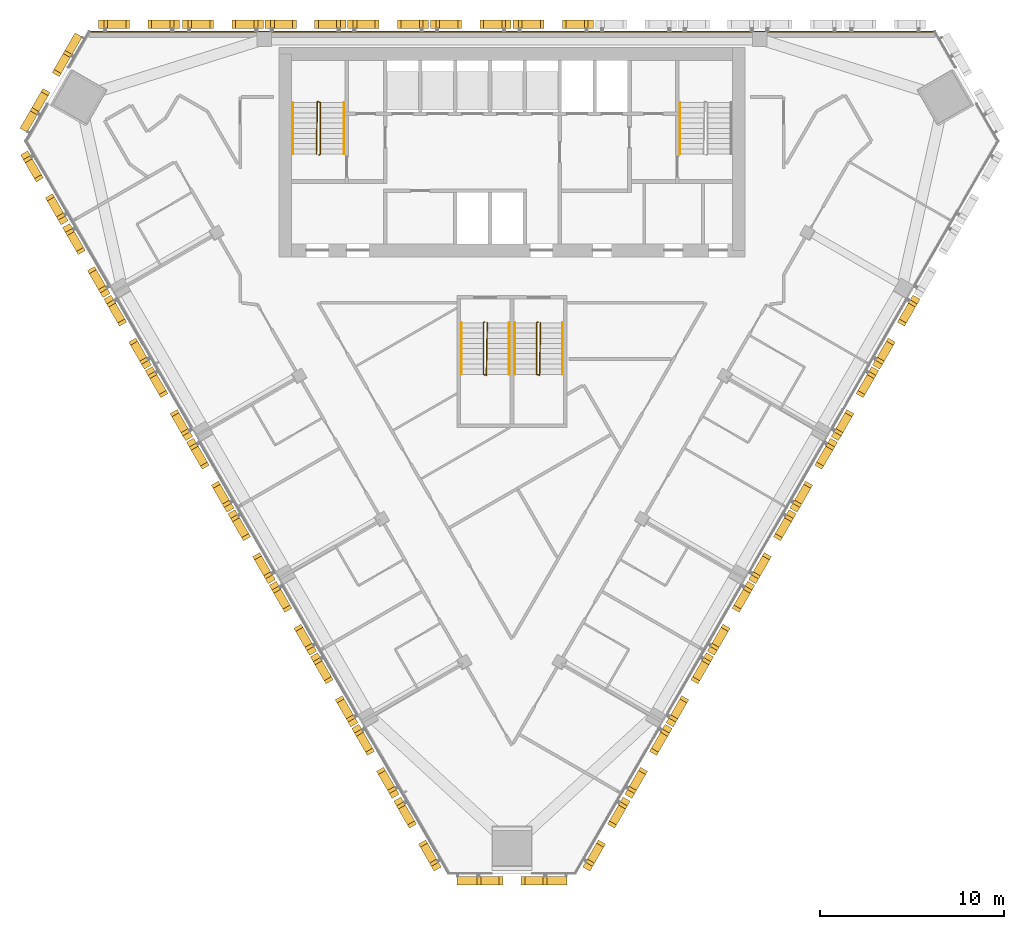
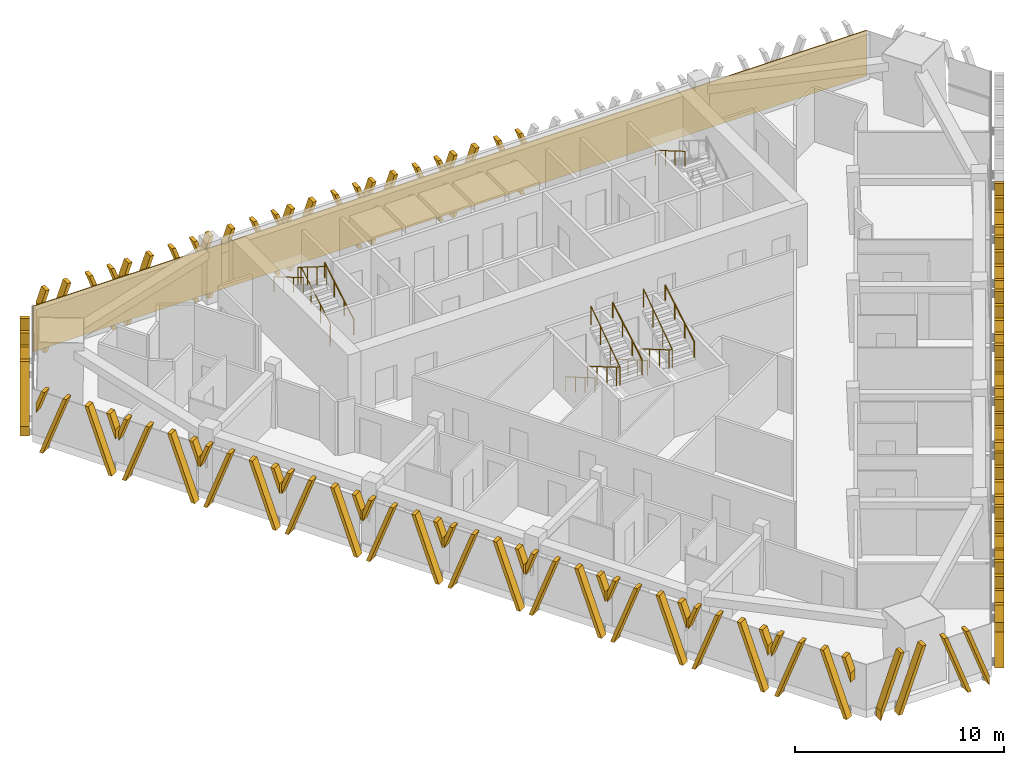
# One storey, part 13 of 15: 26 shading devices, 10 railings, 1 covering.
"""IFC4 building model written with IfcOpenShell, lengths in metres."""

from ifc_helpers import new_model, si_unit, direction, frame, frame_2d, origin, origin_2d, place, context, subcontext, project, spatial, polyline, rectangle, circle, outline, extrude, source, transform, mapped, material, layer, layer_set, type_object, element, save


model = new_model("IFC4")

# Units and contexts
model_context = context("Model", 3, precision=1e-05, world=origin(), true_north=direction((0.0, 1.0)))
body_context = subcontext(model_context, "Body", "Model", "MODEL_VIEW")
ifc_project = project(units=[si_unit("LENGTHUNIT", "METRE"), si_unit("AREAUNIT", "SQUARE_METRE"), si_unit("VOLUMEUNIT", "CUBIC_METRE"), si_unit("PLANEANGLEUNIT", "RADIAN"), si_unit("MASSUNIT", "GRAM", prefix="KILO")], contexts=[model_context])

# Site, building, storey
site_placement = place(None, origin())
site = spatial("IfcSite", under=ifc_project, at=site_placement, CompositionType="ELEMENT")
building_placement = place(site_placement, origin())
building = spatial("IfcBuilding", under=site, at=building_placement, Name="Altiplano Prism Tower", CompositionType="ELEMENT")
storey_placement = place(building_placement, frame((0.0, 0.0, 171.0)))
storey = spatial("IfcBuildingStorey", under=building, at=storey_placement, Name="L44", CompositionType="ELEMENT", Elevation=171.0)

# Railings
ifc_material_1 = material(Name="Steel S355", Category="steel")
railing_type_1 = type_object("IfcRailingType", Name="Stair guard 1100", PredefinedType="GUARDRAIL", material=ifc_material_1)
railing_1_placement = place(storey_placement, frame((74.5, 98.25, 0.0)))
element("IfcRailing", 1, at=railing_1_placement, inside=storey, type_object=railing_type_1, Name="L44 ST1 stair guard 1", PredefinedType="GUARDRAIL", context=body_context, shape_type="SweptSolid", body=[
    extrude(circle(Radius=0.02392578125, at=origin_2d()), frame((0.0, 0.0, 1.076171875), z_axis=(0.280808744504, 0.280808744504, 0.917765164963), x_axis=(-0.707106781187, 0.707106781187, 0.0)), (0.0, 0.0, 1.0), 0.17822265625),
    extrude(circle(Radius=0.02392578125, at=origin_2d()), frame((0.050048828125, 0.050048828125, 1.23974609375), z_axis=(0.0, 0.863360870873, 0.504586966384), x_axis=(-1.0, 0.0, 0.0)), (0.0, 0.0, 1.0), 3.2431640625),
    extrude(circle(Radius=0.02392578125, at=origin_2d()), frame((0.050048828125, 2.85009765625, 2.8759765625), z_axis=(-0.949145278916, 0.314838433982, 0.0), x_axis=(-0.314838433982, -0.949145278916, 0.0)), (0.0, 0.0, 1.0), 0.158203125),
    extrude(circle(Radius=0.02392578125, at=origin_2d()), frame((-0.10009765625, 2.89990234375, 2.8759765625), z_axis=(-0.01477401265, -0.845377694409, 0.533964682676), x_axis=(0.999847325713, -0.01747355902, 0.0)), (0.0, 0.0, 1.0), 3.37109375),
    extrude(circle(Radius=0.02099609375, at=origin_2d()), origin(), (0.0, 0.0, 1.0), 1.052001953125),
    extrude(circle(Radius=0.02099609375, at=origin_2d()), frame((0.050048828125, 0.050048828125, 0.16357421875)), (0.0, 0.0, 1.0), 1.052001953125),
    extrude(circle(Radius=0.02099609375, at=origin_2d()), frame((0.050048828125, 0.9833984375, 0.708984375)), (0.0, 0.0, 1.0), 1.052001953125),
    extrude(circle(Radius=0.02099609375, at=origin_2d()), frame((0.050048828125, 1.916748046875, 1.254638671875)), (0.0, 0.0, 1.0), 1.052001953125),
    extrude(circle(Radius=0.02099609375, at=origin_2d()), frame((0.050048828125, 2.85009765625, 1.800048828125)), (0.0, 0.0, 1.0), 1.052001953125),
    extrude(circle(Radius=0.02099609375, at=origin_2d()), frame((-0.10009765625, 2.89990234375, 1.800048828125)), (0.0, 0.0, 1.0), 1.052001953125),
    extrude(circle(Radius=0.02099609375, at=origin_2d()), frame((-0.11669921875, 1.949951171875, 2.400146484375)), (0.0, 0.0, 1.0), 1.052001953125),
    extrude(circle(Radius=0.02099609375, at=origin_2d()), frame((-0.13330078125, 1.0, 3.0)), (0.0, 0.0, 1.0), 1.052001953125),
    extrude(circle(Radius=0.02099609375, at=origin_2d()), frame((-0.14990234375, 0.050048828125, 3.60009765625)), (0.0, 0.0, 1.0), 1.052001953125),
])
railing_2_placement = place(storey_placement, frame((83.5, 89.14990234375, 0.0)))
element("IfcRailing", 2, at=railing_2_placement, inside=storey, type_object=railing_type_1, Name="L44 ST3A stair guard 1", PredefinedType="GUARDRAIL", context=body_context, shape_type="SweptSolid", body=[
    extrude(circle(Radius=0.02392578125, at=origin_2d()), frame((0.0, 0.0, 1.076171875), z_axis=(-0.280916556609, -0.279546231943, 0.91811752648), x_axis=(0.705375805398, -0.708833529934, 0.0)), (0.0, 0.0, 1.0), 0.17822265625),
    extrude(circle(Radius=0.02392578125, at=origin_2d()), frame((-0.050048828125, -0.0498046875, 1.23974609375), z_axis=(0.0, -0.863360870873, 0.504586966384), x_axis=(1.0, 0.0, 0.0)), (0.0, 0.0, 1.0), 3.2431640625),
    extrude(circle(Radius=0.02392578125, at=origin_2d()), frame((-0.050048828125, -2.849853515625, 2.8759765625), z_axis=(0.948683298051, -0.316227766017, 0.0), x_axis=(0.316227766017, 0.948683298051, 0.0)), (0.0, 0.0, 1.0), 0.158203125),
    extrude(circle(Radius=0.02392578125, at=origin_2d()), frame((0.10009765625, -2.89990234375, 2.8759765625), z_axis=(0.014773108175, 0.84539835705, 0.533931993021), x_axis=(-0.999847351862, 0.017472062685, 0.0)), (0.0, 0.0, 1.0), 3.371337890625),
    extrude(circle(Radius=0.02099609375, at=origin_2d()), origin(), (0.0, 0.0, 1.0), 1.052001953125),
    extrude(circle(Radius=0.02099609375, at=origin_2d()), frame((-0.050048828125, -0.0498046875, 0.16357421875)), (0.0, 0.0, 1.0), 1.052001953125),
    extrude(circle(Radius=0.02099609375, at=origin_2d()), frame((-0.050048828125, -0.983154296875, 0.708984375)), (0.0, 0.0, 1.0), 1.052001953125),
    extrude(circle(Radius=0.02099609375, at=origin_2d()), frame((-0.050048828125, -1.91650390625, 1.254638671875)), (0.0, 0.0, 1.0), 1.052001953125),
    extrude(circle(Radius=0.02099609375, at=origin_2d()), frame((-0.050048828125, -2.849853515625, 1.800048828125)), (0.0, 0.0, 1.0), 1.052001953125),
    extrude(circle(Radius=0.02099609375, at=origin_2d()), frame((0.10009765625, -2.89990234375, 1.800048828125)), (0.0, 0.0, 1.0), 1.052001953125),
    extrude(circle(Radius=0.02099609375, at=origin_2d()), frame((0.11669921875, -1.949951171875, 2.400146484375)), (0.0, 0.0, 1.0), 1.052001953125),
    extrude(circle(Radius=0.02099609375, at=origin_2d()), frame((0.13330078125, -0.999755859375, 3.0)), (0.0, 0.0, 1.0), 1.052001953125),
    extrude(circle(Radius=0.02099609375, at=origin_2d()), frame((0.14990234375, -0.0498046875, 3.60009765625)), (0.0, 0.0, 1.0), 1.052001953125),
])
railing_3_placement = place(storey_placement, frame((86.39990234375, 89.14990234375, 0.0)))
element("IfcRailing", 3, at=railing_3_placement, inside=storey, type_object=railing_type_1, Name="L44 ST3B stair guard 1", PredefinedType="GUARDRAIL", context=body_context, shape_type="SweptSolid", body=[
    extrude(circle(Radius=0.02392578125, at=origin_2d()), frame((0.0, 0.0, 1.076171875), z_axis=(-0.279653641804, -0.279653641804, 0.918470294159), x_axis=(0.707106781187, -0.707106781187, 0.0)), (0.0, 0.0, 1.0), 0.177978515625),
    extrude(circle(Radius=0.02392578125, at=origin_2d()), frame((-0.0498046875, -0.0498046875, 1.23974609375), z_axis=(0.0, -0.863360870873, 0.504586966384), x_axis=(1.0, 0.0, 0.0)), (0.0, 0.0, 1.0), 3.2431640625),
    extrude(circle(Radius=0.02392578125, at=origin_2d()), frame((-0.0498046875, -2.849853515625, 2.8759765625), z_axis=(0.948528701346, -0.316691178788, 0.0), x_axis=(0.316691178788, 0.948528701346, 0.0)), (0.0, 0.0, 1.0), 0.157958984375),
    extrude(circle(Radius=0.02392578125, at=origin_2d()), frame((0.10009765625, -2.89990234375, 2.8759765625), z_axis=(0.014845509451, 0.845397450405, 0.533931420407), x_axis=(-0.999845851991, 0.017557683712, 0.0)), (0.0, 0.0, 1.0), 3.371337890625),
    extrude(circle(Radius=0.02099609375, at=origin_2d()), origin(), (0.0, 0.0, 1.0), 1.052001953125),
    extrude(circle(Radius=0.02099609375, at=origin_2d()), frame((-0.0498046875, -0.0498046875, 0.16357421875)), (0.0, 0.0, 1.0), 1.052001953125),
    extrude(circle(Radius=0.02099609375, at=origin_2d()), frame((-0.0498046875, -0.983154296875, 0.708984375)), (0.0, 0.0, 1.0), 1.052001953125),
    extrude(circle(Radius=0.02099609375, at=origin_2d()), frame((-0.0498046875, -1.91650390625, 1.254638671875)), (0.0, 0.0, 1.0), 1.052001953125),
    extrude(circle(Radius=0.02099609375, at=origin_2d()), frame((-0.0498046875, -2.849853515625, 1.800048828125)), (0.0, 0.0, 1.0), 1.052001953125),
    extrude(circle(Radius=0.02099609375, at=origin_2d()), frame((0.10009765625, -2.89990234375, 1.800048828125)), (0.0, 0.0, 1.0), 1.052001953125),
    extrude(circle(Radius=0.02099609375, at=origin_2d()), frame((0.11669921875, -1.949951171875, 2.400146484375)), (0.0, 0.0, 1.0), 1.052001953125),
    extrude(circle(Radius=0.02099609375, at=origin_2d()), frame((0.133544921875, -0.999755859375, 3.0)), (0.0, 0.0, 1.0), 1.052001953125),
    extrude(circle(Radius=0.02099609375, at=origin_2d()), frame((0.150146484375, -0.0498046875, 3.60009765625)), (0.0, 0.0, 1.0), 1.052001953125),
])
railing_type_2 = type_object("IfcRailingType", Name="Stair handrail 900", PredefinedType="HANDRAIL", material=ifc_material_1)
railing_4_placement = place(storey_placement, frame((75.85009765625, 98.300048828125, 0.16357421875)))
element("IfcRailing", 4, at=railing_4_placement, inside=storey, type_object=railing_type_2, Name="L44 ST1 stair handrail 1", PredefinedType="HANDRAIL", context=body_context, shape_type="SweptSolid", body=[
    extrude(circle(Radius=0.02392578125, at=origin_2d()), frame((0.0, 0.0, 0.8759765625), z_axis=(0.0, 0.863360870873, 0.504586966384), x_axis=(-1.0, 0.0, 0.0)), (0.0, 0.0, 1.0), 3.2431640625),
    extrude(circle(Radius=0.02099609375, at=origin_2d()), origin(), (0.0, 0.0, 1.0), 0.851806640625),
    extrude(circle(Radius=0.02099609375, at=origin_2d()), frame((0.0, 0.933349609375, 0.54541015625)), (0.0, 0.0, 1.0), 0.851806640625),
    extrude(circle(Radius=0.02099609375, at=origin_2d()), frame((0.0, 1.86669921875, 1.091064453125)), (0.0, 0.0, 1.0), 0.851806640625),
    extrude(circle(Radius=0.02099609375, at=origin_2d()), frame((0.0, 2.800048828125, 1.636474609375)), (0.0, 0.0, 1.0), 0.851806640625),
])
for number, where, name in (
    (5, (73.050048828125, 101.10009765625, 1.963623046875), "L44 ST1 stair handrail 2"),
    (6, (94.14990234375, 101.10009765625, 1.963623046875), "L44 ST2 stair handrail 2"),
    (7, (82.25, 89.10009765625, 0.16357421875), "L44 ST3A stair handrail 1"),
):
    element("IfcRailing", number, at=place(storey_placement, frame(where)), inside=storey, type_object=railing_type_2, Name=name, PredefinedType="HANDRAIL", context=body_context, shape_type="SweptSolid", body=[
        extrude(circle(Radius=0.02392578125, at=origin_2d()), frame((0.0, 0.0, 0.8759765625), z_axis=(0.0, -0.863360870873, 0.504586966384), x_axis=(1.0, 0.0, 0.0)), (0.0, 0.0, 1.0), 3.2431640625),
        extrude(circle(Radius=0.02099609375, at=origin_2d()), origin(), (0.0, 0.0, 1.0), 0.851806640625),
        extrude(circle(Radius=0.02099609375, at=origin_2d()), frame((0.0, -0.933349609375, 0.54541015625)), (0.0, 0.0, 1.0), 0.851806640625),
        extrude(circle(Radius=0.02099609375, at=origin_2d()), frame((0.0, -1.86669921875, 1.091064453125)), (0.0, 0.0, 1.0), 0.851806640625),
        extrude(circle(Radius=0.02099609375, at=origin_2d()), frame((0.0, -2.800048828125, 1.636474609375)), (0.0, 0.0, 1.0), 0.851806640625),
    ])
railing_5_placement = place(storey_placement, frame((84.85009765625, 86.300048828125, 1.963623046875)))
element("IfcRailing", 8, at=railing_5_placement, inside=storey, type_object=railing_type_2, Name="L44 ST3A stair handrail 2", PredefinedType="HANDRAIL", context=body_context, shape_type="SweptSolid", body=[
    extrude(circle(Radius=0.02392578125, at=origin_2d()), frame((0.0, 0.0, 0.8759765625), z_axis=(0.0, 0.863360870873, 0.504586966384), x_axis=(-1.0, 0.0, 0.0)), (0.0, 0.0, 1.0), 3.2431640625),
    extrude(circle(Radius=0.02099609375, at=origin_2d()), origin(), (0.0, 0.0, 1.0), 0.851806640625),
    extrude(circle(Radius=0.02099609375, at=origin_2d()), frame((0.0, 0.933349609375, 0.54541015625)), (0.0, 0.0, 1.0), 0.851806640625),
    extrude(circle(Radius=0.02099609375, at=origin_2d()), frame((0.0, 1.86669921875, 1.091064453125)), (0.0, 0.0, 1.0), 0.851806640625),
    extrude(circle(Radius=0.02099609375, at=origin_2d()), frame((0.0, 2.800048828125, 1.636474609375)), (0.0, 0.0, 1.0), 0.851806640625),
])
railing_6_placement = place(storey_placement, frame((85.14990234375, 89.10009765625, 0.16357421875)))
element("IfcRailing", 9, at=railing_6_placement, inside=storey, type_object=railing_type_2, Name="L44 ST3B stair handrail 1", PredefinedType="HANDRAIL", context=body_context, shape_type="SweptSolid", body=[
    extrude(circle(Radius=0.02392578125, at=origin_2d()), frame((0.0, 0.0, 0.8759765625), z_axis=(0.0, -0.863360870873, 0.504586966384), x_axis=(1.0, 0.0, 0.0)), (0.0, 0.0, 1.0), 3.2431640625),
    extrude(circle(Radius=0.02099609375, at=origin_2d()), origin(), (0.0, 0.0, 1.0), 0.851806640625),
    extrude(circle(Radius=0.02099609375, at=origin_2d()), frame((0.0, -0.933349609375, 0.54541015625)), (0.0, 0.0, 1.0), 0.851806640625),
    extrude(circle(Radius=0.02099609375, at=origin_2d()), frame((0.0, -1.86669921875, 1.091064453125)), (0.0, 0.0, 1.0), 0.851806640625),
    extrude(circle(Radius=0.02099609375, at=origin_2d()), frame((0.0, -2.800048828125, 1.636474609375)), (0.0, 0.0, 1.0), 0.851806640625),
])
railing_7_placement = place(storey_placement, frame((87.75, 86.300048828125, 1.963623046875)))
element("IfcRailing", 10, at=railing_7_placement, inside=storey, type_object=railing_type_2, Name="L44 ST3B stair handrail 2", PredefinedType="HANDRAIL", context=body_context, shape_type="SweptSolid", body=[
    extrude(circle(Radius=0.02392578125, at=origin_2d()), frame((0.0, 0.0, 0.8759765625), z_axis=(0.0, 0.863360870873, 0.504586966384), x_axis=(-1.0, 0.0, 0.0)), (0.0, 0.0, 1.0), 3.2431640625),
    extrude(circle(Radius=0.02099609375, at=origin_2d()), origin(), (0.0, 0.0, 1.0), 0.851806640625),
    extrude(circle(Radius=0.02099609375, at=origin_2d()), frame((0.0, 0.933349609375, 0.54541015625)), (0.0, 0.0, 1.0), 0.851806640625),
    extrude(circle(Radius=0.02099609375, at=origin_2d()), frame((0.0, 1.86669921875, 1.091064453125)), (0.0, 0.0, 1.0), 0.851806640625),
    extrude(circle(Radius=0.02099609375, at=origin_2d()), frame((0.0, 2.800048828125, 1.636474609375)), (0.0, 0.0, 1.0), 0.851806640625),
])

# Covering
ifc_material_2 = material(Name="Warm limestone cast stone", Category="masonry")
ifc_layer = layer(ifc_material_2, 0.06005859375)
ifc_layer_set = layer_set([ifc_layer], Name="Warm limestone cast stone")
covering_type = type_object("IfcCoveringType", Name="Stone cladding 60", PredefinedType="CLADDING", material=ifc_layer_set)
covering_placement = place(storey_placement, frame((61.947265625, 104.969970703125, 0.0), z_axis=(0.0, 0.0, 1.0), x_axis=(1.0, 0.0, 0.0)))
element("IfcCovering", 11, at=covering_placement, inside=storey, type_object=covering_type, Name="Stone cladding north face L44", PredefinedType="CLADDING", context=body_context, shape_type="SweptSolid", body=[
    extrude(rectangle(XDim=46.10546875, YDim=0.06005859375, at=frame_2d((23.052734375, 0.0))), origin(), (0.0, 0.0, 1.0), 2.64990234375),
])

# Shading devices
shading_device_type_1 = type_object("IfcShadingDeviceType", Name="Stone fin panel, standard unit", PredefinedType="USERDEFINED", material=ifc_material_2)
shared_shape_1 = source(origin(), body_context, "Body", "SweptSolid", [
    extrude(outline(polyline([(-2.199951171875, 2.226318359375), (-1.699951171875, 3.60009765625), (-1.89990234375, 3.60009765625), (-2.199951171875, 2.77587890625), (-2.199951171875, 2.226318359375)])), frame((0.0, -0.14990234375, 0.0), z_axis=(0.0, -1.0, 0.0), x_axis=(1.0, 0.0, 0.0)), (0.0, 0.0, 1.0), 0.4501953125),
    extrude(outline(polyline([(-2.01025390625, 0.0), (-1.810302734375, 0.0), (-0.5, 3.60009765625), (-0.699951171875, 3.60009765625), (-2.01025390625, 0.0)])), frame((0.0, -0.14990234375, 0.0), z_axis=(0.0, -1.0, 0.0), x_axis=(1.0, 0.0, 0.0)), (0.0, 0.0, 1.0), 0.4501953125),
    extrude(outline(polyline([(1.810302734375, 0.0), (2.01025390625, 0.0), (0.699951171875, 3.60009765625), (0.5, 3.60009765625), (1.810302734375, 0.0)])), frame((0.0, -0.14990234375, 0.0), z_axis=(0.0, -1.0, 0.0), x_axis=(1.0, 0.0, 0.0)), (0.0, 0.0, 1.0), 0.4501953125),
    extrude(outline(polyline([(2.199951171875, 2.77587890625), (1.89990234375, 3.60009765625), (1.699951171875, 3.60009765625), (2.199951171875, 2.226318359375), (2.199951171875, 2.77587890625)])), frame((0.0, -0.14990234375, 0.0), z_axis=(0.0, -1.0, 0.0), x_axis=(1.0, 0.0, 0.0)), (0.0, 0.0, 1.0), 0.4501953125),
])
shading_device_1_placement = place(storey_placement, origin())
element("IfcShadingDevice", 12, at=shading_device_1_placement, inside=storey, type_object=shading_device_type_1, Name="Fin L44 north face 5", ObjectType="FIN", PredefinedType="USERDEFINED", context=body_context, shape_type="MappedRepresentation", body=[
    mapped(shared_shape_1, transform((87.25, 105.0, -0.449951171875), x_axis=(-1.0, 0.0, 0.0), y_axis=(0.0, -1.0, 0.0), z_axis=(0.0, 0.0, 1.0))),
])
shading_device_2_placement = place(storey_placement, origin())
element("IfcShadingDevice", 13, at=shading_device_2_placement, inside=storey, type_object=shading_device_type_1, Name="Fin L44 north face 6", ObjectType="FIN", PredefinedType="USERDEFINED", context=body_context, shape_type="MappedRepresentation", body=[
    mapped(shared_shape_1, transform((82.75, 105.0, -0.449951171875), x_axis=(-1.0, 0.0, 0.0), y_axis=(0.0, -1.0, 0.0), z_axis=(0.0, 0.0, 1.0))),
])
shading_device_3_placement = place(storey_placement, origin())
element("IfcShadingDevice", 14, at=shading_device_3_placement, inside=storey, type_object=shading_device_type_1, Name="Fin L44 north face 7", ObjectType="FIN", PredefinedType="USERDEFINED", context=body_context, shape_type="MappedRepresentation", body=[
    mapped(shared_shape_1, transform((78.25, 105.0, -0.449951171875), x_axis=(-1.0, 0.0, 0.0), y_axis=(0.0, -1.0, 0.0), z_axis=(0.0, 0.0, 1.0))),
])
shading_device_4_placement = place(storey_placement, origin())
element("IfcShadingDevice", 15, at=shading_device_4_placement, inside=storey, type_object=shading_device_type_1, Name="Fin L44 north face 8", ObjectType="FIN", PredefinedType="USERDEFINED", context=body_context, shape_type="MappedRepresentation", body=[
    mapped(shared_shape_1, transform((73.75, 105.0, -0.449951171875), x_axis=(-1.0, 0.0, 0.0), y_axis=(0.0, -1.0, 0.0), z_axis=(0.0, 0.0, 1.0))),
])
shading_device_5_placement = place(storey_placement, origin())
element("IfcShadingDevice", 16, at=shading_device_5_placement, inside=storey, type_object=shading_device_type_1, Name="Fin L44 north face 9", ObjectType="FIN", PredefinedType="USERDEFINED", context=body_context, shape_type="MappedRepresentation", body=[
    mapped(shared_shape_1, transform((69.25, 105.0, -0.449951171875), x_axis=(-1.0, 0.0, 0.0), y_axis=(0.0, -1.0, 0.0), z_axis=(0.0, 0.0, 1.0))),
])
shading_device_type_2 = type_object("IfcShadingDeviceType", Name="Stone fin panel, wide closing bay", PredefinedType="USERDEFINED", material=ifc_material_2)
shading_device_6_placement = place(storey_placement, origin())
element("IfcShadingDevice", 17, at=shading_device_6_placement, inside=storey, type_object=shading_device_type_2, Name="Fin L44 north face 10", ObjectType="FIN", PredefinedType="USERDEFINED", context=body_context, shape_type="MappedRepresentation", body=[
    mapped(shared_shape_1, transform((64.673583984375, 105.0, -0.449951171875), x_axis=(-1.0, 0.0, 0.0), y_axis=(0.0, -1.0, 0.0), z_axis=(0.0, 0.0, 1.0))),
])
shading_device_7_placement = place(storey_placement, origin())
element("IfcShadingDevice", 18, at=shading_device_7_placement, inside=storey, type_object=shading_device_type_2, Name="Fin L44 south-west face 1", ObjectType="FIN", PredefinedType="USERDEFINED", context=body_context, shape_type="MappedRepresentation", body=[
    mapped(shared_shape_1, transform((59.849853515625, 96.64501953125, -0.449951171875), x_axis=(0.499999992175, -0.866025408302, 0.0), y_axis=(0.866025408302, 0.499999992175, 0.0), z_axis=(0.0, 0.0, 1.0))),
])
shading_device_8_placement = place(storey_placement, origin())
element("IfcShadingDevice", 19, at=shading_device_8_placement, inside=storey, type_object=shading_device_type_1, Name="Fin L44 south-west face 2", ObjectType="FIN", PredefinedType="USERDEFINED", context=body_context, shape_type="MappedRepresentation", body=[
    mapped(shared_shape_1, transform((62.137939453125, 92.681640625, -0.449951171875), x_axis=(0.499999992175, -0.866025408302, 0.0), y_axis=(0.866025408302, 0.499999992175, 0.0), z_axis=(0.0, 0.0, 1.0))),
])
shading_device_9_placement = place(storey_placement, origin())
element("IfcShadingDevice", 20, at=shading_device_9_placement, inside=storey, type_object=shading_device_type_1, Name="Fin L44 south-west face 3", ObjectType="FIN", PredefinedType="USERDEFINED", context=body_context, shape_type="MappedRepresentation", body=[
    mapped(shared_shape_1, transform((64.387939453125, 88.78466796875, -0.449951171875), x_axis=(0.499999992175, -0.866025408302, 0.0), y_axis=(0.866025408302, 0.499999992175, 0.0), z_axis=(0.0, 0.0, 1.0))),
])
shading_device_10_placement = place(storey_placement, origin())
element("IfcShadingDevice", 21, at=shading_device_10_placement, inside=storey, type_object=shading_device_type_1, Name="Fin L44 south-west face 4", ObjectType="FIN", PredefinedType="USERDEFINED", context=body_context, shape_type="MappedRepresentation", body=[
    mapped(shared_shape_1, transform((66.637939453125, 84.887451171875, -0.449951171875), x_axis=(0.499999992175, -0.866025408302, 0.0), y_axis=(0.866025408302, 0.499999992175, 0.0), z_axis=(0.0, 0.0, 1.0))),
])
shading_device_11_placement = place(storey_placement, origin())
element("IfcShadingDevice", 22, at=shading_device_11_placement, inside=storey, type_object=shading_device_type_1, Name="Fin L44 south-west face 5", ObjectType="FIN", PredefinedType="USERDEFINED", context=body_context, shape_type="MappedRepresentation", body=[
    mapped(shared_shape_1, transform((68.887939453125, 80.990478515625, -0.449951171875), x_axis=(0.499999992175, -0.866025408302, 0.0), y_axis=(0.866025408302, 0.499999992175, 0.0), z_axis=(0.0, 0.0, 1.0))),
])
shading_device_12_placement = place(storey_placement, origin())
element("IfcShadingDevice", 23, at=shading_device_12_placement, inside=storey, type_object=shading_device_type_1, Name="Fin L44 south-west face 6", ObjectType="FIN", PredefinedType="USERDEFINED", context=body_context, shape_type="MappedRepresentation", body=[
    mapped(shared_shape_1, transform((71.137939453125, 77.09326171875, -0.449951171875), x_axis=(0.499999992175, -0.866025408302, 0.0), y_axis=(0.866025408302, 0.499999992175, 0.0), z_axis=(0.0, 0.0, 1.0))),
])
shading_device_13_placement = place(storey_placement, origin())
element("IfcShadingDevice", 24, at=shading_device_13_placement, inside=storey, type_object=shading_device_type_1, Name="Fin L44 south-west face 7", ObjectType="FIN", PredefinedType="USERDEFINED", context=body_context, shape_type="MappedRepresentation", body=[
    mapped(shared_shape_1, transform((73.387939453125, 73.1962890625, -0.449951171875), x_axis=(0.499999992175, -0.866025408302, 0.0), y_axis=(0.866025408302, 0.499999992175, 0.0), z_axis=(0.0, 0.0, 1.0))),
])
shading_device_14_placement = place(storey_placement, origin())
element("IfcShadingDevice", 25, at=shading_device_14_placement, inside=storey, type_object=shading_device_type_1, Name="Fin L44 south-west face 8", ObjectType="FIN", PredefinedType="USERDEFINED", context=body_context, shape_type="MappedRepresentation", body=[
    mapped(shared_shape_1, transform((75.637939453125, 69.299072265625, -0.449951171875), x_axis=(0.499999992175, -0.866025408302, 0.0), y_axis=(0.866025408302, 0.499999992175, 0.0), z_axis=(0.0, 0.0, 1.0))),
])
shading_device_15_placement = place(storey_placement, origin())
element("IfcShadingDevice", 26, at=shading_device_15_placement, inside=storey, type_object=shading_device_type_1, Name="Fin L44 south-west face 9", ObjectType="FIN", PredefinedType="USERDEFINED", context=body_context, shape_type="MappedRepresentation", body=[
    mapped(shared_shape_1, transform((77.887939453125, 65.40185546875, -0.449951171875), x_axis=(0.499999992175, -0.866025408302, 0.0), y_axis=(0.866025408302, 0.499999992175, 0.0), z_axis=(0.0, 0.0, 1.0))),
])
shading_device_16_placement = place(storey_placement, origin())
element("IfcShadingDevice", 27, at=shading_device_16_placement, inside=storey, type_object=shading_device_type_2, Name="Fin L44 south-west face 10", ObjectType="FIN", PredefinedType="USERDEFINED", context=body_context, shape_type="MappedRepresentation", body=[
    mapped(shared_shape_1, transform((80.17626953125, 61.438720703125, -0.449951171875), x_axis=(0.499999992175, -0.866025408302, 0.0), y_axis=(0.866025408302, 0.499999992175, 0.0), z_axis=(0.0, 0.0, 1.0))),
])
shading_device_17_placement = place(storey_placement, origin())
element("IfcShadingDevice", 28, at=shading_device_17_placement, inside=storey, type_object=shading_device_type_2, Name="Fin L44 south-east face 1", ObjectType="FIN", PredefinedType="USERDEFINED", context=body_context, shape_type="MappedRepresentation", body=[
    mapped(shared_shape_1, transform((89.82373046875, 61.438720703125, -0.449951171875), x_axis=(0.499999992175, 0.866025408302, 0.0), y_axis=(-0.866025408302, 0.499999992175, 0.0), z_axis=(0.0, 0.0, 1.0))),
])
shading_device_18_placement = place(storey_placement, origin())
element("IfcShadingDevice", 29, at=shading_device_18_placement, inside=storey, type_object=shading_device_type_1, Name="Fin L44 south-east face 2", ObjectType="FIN", PredefinedType="USERDEFINED", context=body_context, shape_type="MappedRepresentation", body=[
    mapped(shared_shape_1, transform((92.112060546875, 65.40185546875, -0.449951171875), x_axis=(0.499999992175, 0.866025408302, 0.0), y_axis=(-0.866025408302, 0.499999992175, 0.0), z_axis=(0.0, 0.0, 1.0))),
])
shading_device_19_placement = place(storey_placement, origin())
element("IfcShadingDevice", 30, at=shading_device_19_placement, inside=storey, type_object=shading_device_type_1, Name="Fin L44 south-east face 3", ObjectType="FIN", PredefinedType="USERDEFINED", context=body_context, shape_type="MappedRepresentation", body=[
    mapped(shared_shape_1, transform((94.362060546875, 69.299072265625, -0.449951171875), x_axis=(0.499999992175, 0.866025408302, 0.0), y_axis=(-0.866025408302, 0.499999992175, 0.0), z_axis=(0.0, 0.0, 1.0))),
])
shading_device_20_placement = place(storey_placement, origin())
element("IfcShadingDevice", 31, at=shading_device_20_placement, inside=storey, type_object=shading_device_type_1, Name="Fin L44 south-east face 4", ObjectType="FIN", PredefinedType="USERDEFINED", context=body_context, shape_type="MappedRepresentation", body=[
    mapped(shared_shape_1, transform((96.612060546875, 73.1962890625, -0.449951171875), x_axis=(0.499999992175, 0.866025408302, 0.0), y_axis=(-0.866025408302, 0.499999992175, 0.0), z_axis=(0.0, 0.0, 1.0))),
])
shading_device_21_placement = place(storey_placement, origin())
element("IfcShadingDevice", 32, at=shading_device_21_placement, inside=storey, type_object=shading_device_type_1, Name="Fin L44 south-east face 5", ObjectType="FIN", PredefinedType="USERDEFINED", context=body_context, shape_type="MappedRepresentation", body=[
    mapped(shared_shape_1, transform((98.862060546875, 77.09326171875, -0.449951171875), x_axis=(0.499999992175, 0.866025408302, 0.0), y_axis=(-0.866025408302, 0.499999992175, 0.0), z_axis=(0.0, 0.0, 1.0))),
])
shading_device_22_placement = place(storey_placement, origin())
element("IfcShadingDevice", 33, at=shading_device_22_placement, inside=storey, type_object=shading_device_type_1, Name="Fin L44 south-east face 6", ObjectType="FIN", PredefinedType="USERDEFINED", context=body_context, shape_type="MappedRepresentation", body=[
    mapped(shared_shape_1, transform((101.112060546875, 80.990478515625, -0.449951171875), x_axis=(0.499999992175, 0.866025408302, 0.0), y_axis=(-0.866025408302, 0.499999992175, 0.0), z_axis=(0.0, 0.0, 1.0))),
])
shading_device_23_placement = place(storey_placement, origin())
element("IfcShadingDevice", 34, at=shading_device_23_placement, inside=storey, type_object=shading_device_type_1, Name="Fin L44 south-east face 7", ObjectType="FIN", PredefinedType="USERDEFINED", context=body_context, shape_type="MappedRepresentation", body=[
    mapped(shared_shape_1, transform((103.362060546875, 84.887451171875, -0.449951171875), x_axis=(0.499999992175, 0.866025408302, 0.0), y_axis=(-0.866025408302, 0.499999992175, 0.0), z_axis=(0.0, 0.0, 1.0))),
])
shading_device_24_placement = place(storey_placement, origin())
element("IfcShadingDevice", 35, at=shading_device_24_placement, inside=storey, type_object=shading_device_type_1, Name="Fin L44 south-east face 8", ObjectType="FIN", PredefinedType="USERDEFINED", context=body_context, shape_type="MappedRepresentation", body=[
    mapped(shared_shape_1, transform((105.612060546875, 88.78466796875, -0.449951171875), x_axis=(0.499999992175, 0.866025408302, 0.0), y_axis=(-0.866025408302, 0.499999992175, 0.0), z_axis=(0.0, 0.0, 1.0))),
])
shading_device_type_3 = type_object("IfcShadingDeviceType", Name="Stone fin panel, chamfer unit", PredefinedType="USERDEFINED", material=ifc_material_2)
shared_shape_2 = source(origin(), body_context, "Body", "SweptSolid", [
    extrude(outline(polyline([(-3.0, 0.0283203125), (-1.699951171875, 3.60009765625), (-1.89990234375, 3.60009765625), (-3.0, 0.577880859375), (-3.0, 0.0283203125)])), frame((0.0, -0.14990234375, 0.0), z_axis=(0.0, -1.0, 0.0), x_axis=(1.0, 0.0, 0.0)), (0.0, 0.0, 1.0), 0.4501953125),
    extrude(outline(polyline([(-2.01025390625, 0.0), (-1.810302734375, 0.0), (-0.5, 3.60009765625), (-0.699951171875, 3.60009765625), (-2.01025390625, 0.0)])), frame((0.0, -0.14990234375, 0.0), z_axis=(0.0, -1.0, 0.0), x_axis=(1.0, 0.0, 0.0)), (0.0, 0.0, 1.0), 0.4501953125),
    extrude(outline(polyline([(1.810302734375, 0.0), (2.01025390625, 0.0), (0.699951171875, 3.60009765625), (0.5, 3.60009765625), (1.810302734375, 0.0)])), frame((0.0, -0.14990234375, 0.0), z_axis=(0.0, -1.0, 0.0), x_axis=(1.0, 0.0, 0.0)), (0.0, 0.0, 1.0), 0.4501953125),
    extrude(outline(polyline([(3.0, 0.577880859375), (1.89990234375, 3.60009765625), (1.699951171875, 3.60009765625), (3.0, 0.0283203125), (3.0, 0.577880859375)])), frame((0.0, -0.14990234375, 0.0), z_axis=(0.0, -1.0, 0.0), x_axis=(1.0, 0.0, 0.0)), (0.0, 0.0, 1.0), 0.4501953125),
])
shading_device_25_placement = place(storey_placement, origin())
element("IfcShadingDevice", 36, at=shading_device_25_placement, inside=storey, type_object=shading_device_type_3, Name="Fin L44 north-west chamfer 1", ObjectType="FIN", PredefinedType="USERDEFINED", context=body_context, shape_type="MappedRepresentation", body=[
    mapped(shared_shape_2, transform((60.217041015625, 102.0029296875, -0.449951171875), x_axis=(-0.50000001817, -0.866025393294, 0.0), y_axis=(0.866025393294, -0.50000001817, 0.0), z_axis=(0.0, 0.0, 1.0))),
])
shading_device_26_placement = place(storey_placement, origin())
element("IfcShadingDevice", 37, at=shading_device_26_placement, inside=storey, type_object=shading_device_type_3, Name="Fin L44 south chamfer 1", ObjectType="FIN", PredefinedType="USERDEFINED", context=body_context, shape_type="MappedRepresentation", body=[
    mapped(shared_shape_2, transform((85.0, 59.07763671875, -0.449951171875), x_axis=(1.0, 0.0, 0.0), y_axis=(0.0, 1.0, 0.0), z_axis=(0.0, 0.0, 1.0))),
])

save(model, "model.ifc")
